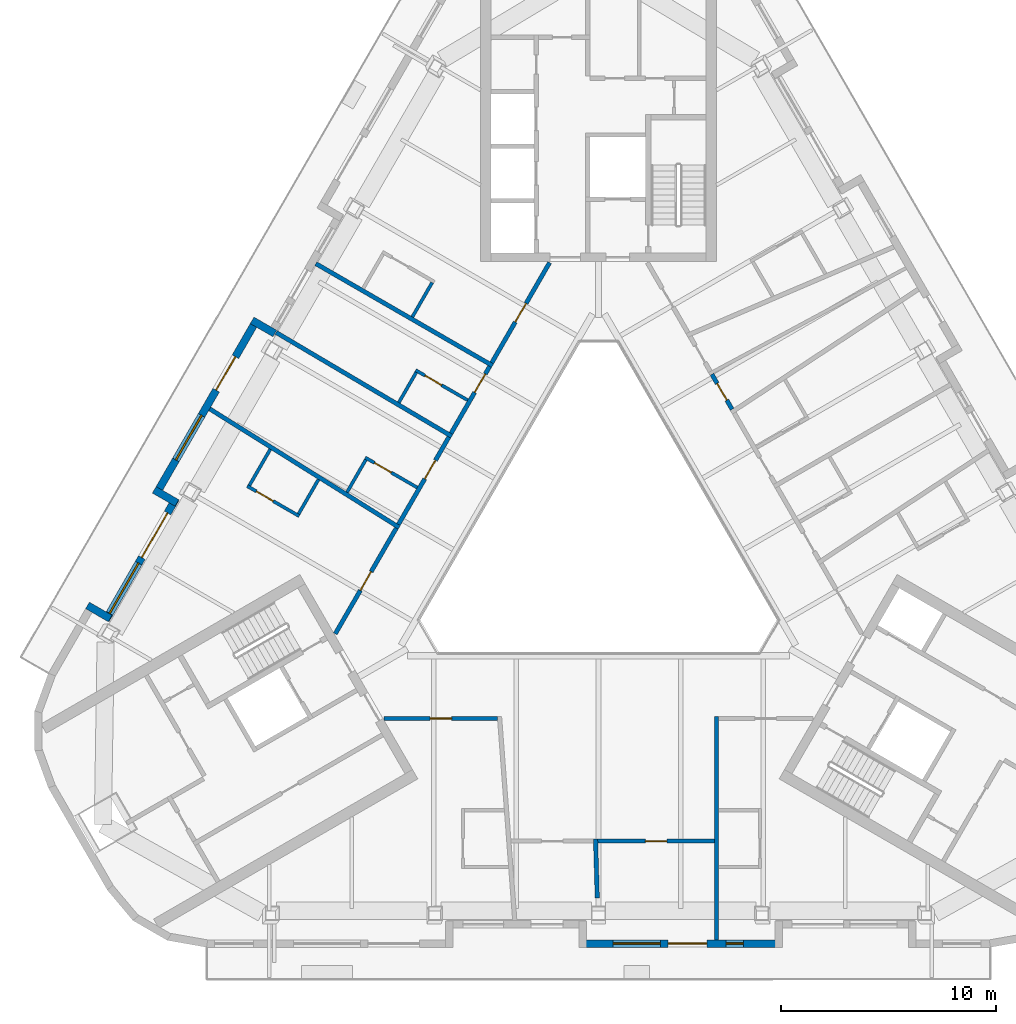
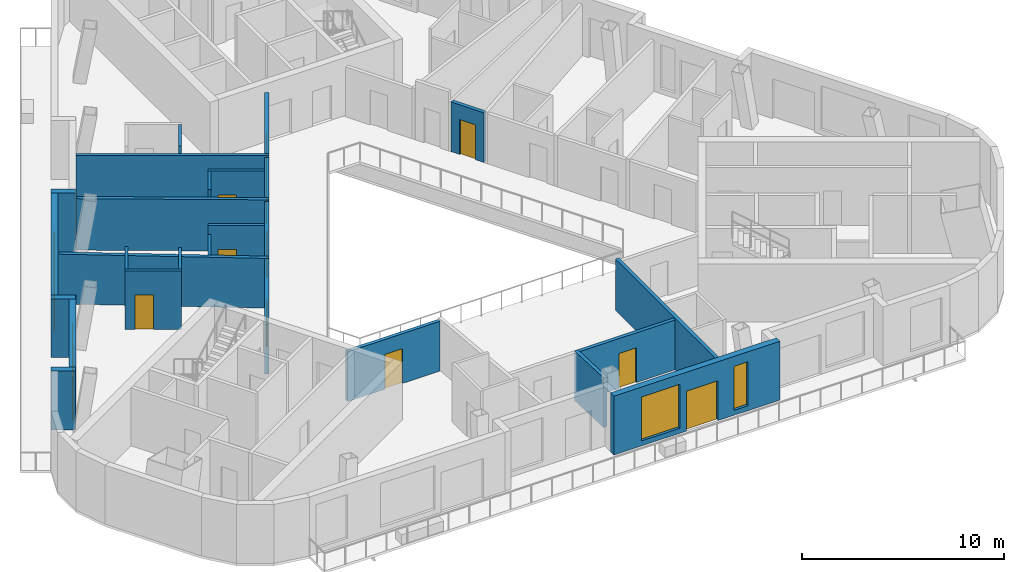
# One storey, part 4 of 14: 26 walls, 13 doors, 4 windows, 17 openings.
"""IFC4 building model written with IfcOpenShell, lengths in metres."""

import ifcopenshell
import ifcopenshell.guid

model = None  # the IFC model being written
_history = None  # IfcOwnerHistory: only IFC2X3 demands one
_inside = {}  # id of a spatial element -> (the spatial element, [elements in it])
_under = {}  # id of a project, library or spatial element -> (it, [spatial elements below it])
_declared = {}  # id of a project -> (the project, [libraries it declares])
_typed = {}  # id of a type object -> (the type object, [elements of that type])
_made_of = {}  # id of a material, layer set ... -> (it, [elements and type objects made of it])


def new_model(schema):
    """Start an empty IFC model of exactly this schema.

    Asked for "IFC4X3", IfcOpenShell would pick the latest addendum, in which some entities
    have other attributes; the version numbers below select the first issue.
    IFC2X3 requires an IfcOwnerHistory on every rooted entity: one is made here for all.
    """
    global model, _history
    if schema == "IFC4X3":
        model = ifcopenshell.file(schema_version=(4, 3, 0, 0))
    else:
        model = ifcopenshell.file(schema=schema)
    _inside.clear()
    _under.clear()
    _declared.clear()
    _typed.clear()
    _made_of.clear()
    _history = None
    if model.schema == "IFC2X3":
        org = make("IfcOrganization", Name="unknown")
        user = make(
            "IfcPersonAndOrganization",
            ThePerson=make("IfcPerson", FamilyName="unknown"),
            TheOrganization=org,
        )
        app = make(
            "IfcApplication",
            ApplicationDeveloper=org,
            Version="unknown",
            ApplicationFullName="unknown",
            ApplicationIdentifier="unknown",
        )
        _history = make(
            "IfcOwnerHistory",
            OwningUser=user,
            OwningApplication=app,
            ChangeAction="ADDED",
            CreationDate=0,
        )
    return model


def make(cls, **values):
    """One entity of the class cls with the attributes given. An attribute that is None is left unset."""
    return model.create_entity(
        cls, **{name: value for name, value in values.items() if value is not None}
    )


def rooted(cls, **values):
    """An entity with a GlobalId (a new one), such as an element, a storey or a relation."""
    return make(cls, GlobalId=ifcopenshell.guid.new(), OwnerHistory=_history, **values)


def si_unit(unit_type, name, prefix=None):
    """IfcSIUnit, for example si_unit("LENGTHUNIT", "METRE", prefix="MILLI")."""
    return make("IfcSIUnit", UnitType=unit_type, Prefix=prefix, Name=name)


def assignment(units):
    """IfcUnitAssignment: the units of a project."""
    return None if units is None else make("IfcUnitAssignment", Units=units)


def point(xyz):
    """IfcCartesianPoint."""
    return None if xyz is None else make("IfcCartesianPoint", Coordinates=xyz)


def direction(xyz):
    """IfcDirection."""
    return None if xyz is None else make("IfcDirection", DirectionRatios=xyz)


def frame(location, z_axis=None, x_axis=None):
    """IfcAxis2Placement3D, a coordinate frame: its origin and axes. An axis left out is left unset."""
    return make(
        "IfcAxis2Placement3D",
        Location=point(location),
        Axis=direction(z_axis),
        RefDirection=direction(x_axis),
    )


def frame_2d(location, x_axis=None):
    """IfcAxis2Placement2D, a coordinate frame in the plane: its origin and x axis."""
    return make(
        "IfcAxis2Placement2D", Location=point(location), RefDirection=direction(x_axis)
    )


def origin():
    """The frame at (0, 0, 0) with its axes left unset."""
    return frame((0.0, 0.0, 0.0))


def place(relative_to, where):
    """IfcLocalPlacement: puts the frame where relative to a parent placement (None: the world)."""
    return make(
        "IfcLocalPlacement", PlacementRelTo=relative_to, RelativePlacement=where
    )


def context(
    kind, dimensions, precision=None, world=None, true_north=None, identifier=None
):
    """IfcGeometricRepresentationContext, for example the 3D "Model" context."""
    return make(
        "IfcGeometricRepresentationContext",
        ContextIdentifier=identifier,
        ContextType=kind,
        CoordinateSpaceDimension=dimensions,
        Precision=precision,
        WorldCoordinateSystem=world,
        TrueNorth=true_north,
    )


def subcontext(parent, identifier, kind, view, scale=None):
    """IfcGeometricRepresentationSubContext, for example "Body" below "Model"."""
    return make(
        "IfcGeometricRepresentationSubContext",
        ContextIdentifier=identifier,
        ContextType=kind,
        ParentContext=parent,
        TargetScale=scale,
        TargetView=view,
    )


def project(units=None, contexts=None):
    """IfcProject with its units and contexts."""
    return rooted(
        "IfcProject",
        Name="project",
        RepresentationContexts=contexts,
        UnitsInContext=assignment(units),
    )


def spatial(cls, under=None, at=None, **own):
    """A site, building, storey or space (cls), placed at a placement, below another one or the project."""
    s = rooted(cls, ObjectPlacement=at, **own)
    if under is not None:
        _under.setdefault(under.id(), (under, []))[1].append(s)
    return s


def profile(cls, at=None, kind="AREA", **sizes):
    """A parametric profile (cls). Its sizes go by their IFC names, for example OverallWidth=200.0."""
    return make(cls, ProfileType=kind, Position=at, **sizes)


def rectangle(**sizes):
    """IfcRectangleProfileDef."""
    return profile("IfcRectangleProfileDef", **sizes)


def extrude(swept, where, along, depth):
    """IfcExtrudedAreaSolid: the profile swept, set in the frame where, extruded along a direction by depth."""
    return make(
        "IfcExtrudedAreaSolid",
        SweptArea=swept,
        Position=where,
        ExtrudedDirection=direction(along),
        Depth=depth,
    )


def shape(context_of_items, identifier, shape_type, items):
    """IfcShapeRepresentation: the items that make up one representation, for example the "Body"."""
    return make(
        "IfcShapeRepresentation",
        ContextOfItems=context_of_items,
        RepresentationIdentifier=identifier,
        RepresentationType=shape_type,
        Items=items,
    )


def material(Name=None, Category=None):
    """IfcMaterial."""
    return make("IfcMaterial", Name=Name, Category=Category)


def layer(
    of_material, thickness, ventilated=None, Name=None, Category=None, Priority=None
):
    """IfcMaterialLayer: one layer of a wall or slab, of a material (None: an air gap)."""
    return make(
        "IfcMaterialLayer",
        Material=of_material,
        LayerThickness=thickness,
        IsVentilated=ventilated,
        Name=Name,
        Category=Category,
        Priority=Priority,
    )


def layer_set(layers, Name=None):
    """IfcMaterialLayerSet."""
    return make("IfcMaterialLayerSet", MaterialLayers=layers, LayerSetName=Name)


def made_of(thing, what):
    """Note that an element or type object is made of a material, layer set ...; save() writes the relation."""
    if what is not None:
        _made_of.setdefault(what.id(), (what, []))[1].append(thing)
    return thing


def type_object(cls, material=None, **own):
    """A type object (cls), such as IfcWallType, which elements share."""
    return made_of(rooted(cls, **own), material)


def element(
    cls,
    number,
    at=None,
    inside=None,
    cuts=None,
    type_object=None,
    material=None,
    context=None,
    identifier="Body",
    shape_type=None,
    held_by="IfcProductDefinitionShape",
    body=None,
    shapes=None,
    **own,
):
    """One element of the class cls, such as IfcWall. Its Tag is "e" and its number.

    at: its placement. inside: the storey or other place that contains it. cuts: it is an
    opening in that element (IfcRelVoidsElement). A single representation is given by context,
    identifier, shape_type and body (its items); several are given by shapes. held_by: the class
    of the entity that holds the representations. save() writes the other relations.
    """
    e = rooted(cls, Tag="e%d" % number, ObjectPlacement=at, **own)
    if body is not None:
        shapes = [shape(context, identifier, shape_type, body)]
    if shapes is not None:
        e.Representation = make(held_by, Representations=shapes)
    if inside is not None:
        _inside.setdefault(inside.id(), (inside, []))[1].append(e)
    if cuts is not None:
        rooted(
            "IfcRelVoidsElement", RelatingBuildingElement=cuts, RelatedOpeningElement=e
        )
    if type_object is not None:
        _typed.setdefault(type_object.id(), (type_object, []))[1].append(e)
    return made_of(e, material)


def fill(opening, filler):
    """IfcRelFillsElement: the door or window that sits in an opening."""
    return rooted(
        "IfcRelFillsElement",
        RelatingOpeningElement=opening,
        RelatedBuildingElement=filler,
    )


def aggregate(whole, parts):
    """IfcRelAggregates: a whole, such as a stair, and the parts it consists of."""
    return rooted("IfcRelAggregates", RelatingObject=whole, RelatedObjects=parts)


def save(model, path):
    """Write the relations noted so far, then the file.

    IfcRelAggregates (storeys below a building ...), IfcRelContainedInSpatialStructure (elements
    in a storey), IfcRelDefinesByType, IfcRelAssociatesMaterial and IfcRelDeclares: one each for
    every whole, place, type object, material and project.
    """
    for whole, parts in _under.values():
        aggregate(whole, parts)
    for where, things in _inside.values():
        rooted(
            "IfcRelContainedInSpatialStructure",
            RelatedElements=things,
            RelatingStructure=where,
        )
    for kind, things in _typed.values():
        rooted("IfcRelDefinesByType", RelatedObjects=things, RelatingType=kind)
    for what, things in _made_of.values():
        rooted("IfcRelAssociatesMaterial", RelatedObjects=things, RelatingMaterial=what)
    for by, libraries in _declared.values():
        rooted("IfcRelDeclares", RelatingContext=by, RelatedDefinitions=libraries)
    model.write(path)


model = new_model("IFC4")

# Units and contexts
model_context = context("Model", 3, precision=1e-05, world=origin(), true_north=direction((0.0, 1.0)))
body_context = subcontext(model_context, "Body", "Model", "MODEL_VIEW")
ifc_project = project(units=[si_unit("LENGTHUNIT", "METRE"), si_unit("AREAUNIT", "SQUARE_METRE"), si_unit("VOLUMEUNIT", "CUBIC_METRE"), si_unit("PLANEANGLEUNIT", "RADIAN"), si_unit("MASSUNIT", "GRAM", prefix="KILO")], contexts=[model_context])

# Site, building, storey
site_placement = place(None, origin())
site = spatial("IfcSite", under=ifc_project, at=site_placement, CompositionType="ELEMENT")
building_placement = place(site_placement, origin())
building = spatial("IfcBuilding", under=site, at=building_placement, Name="Apuvela Tower Hotel", CompositionType="ELEMENT")
storey_placement = place(building_placement, frame((0.0, 0.0, 265.199951171875)))
storey = spatial("IfcBuildingStorey", under=building, at=storey_placement, Name="L65", CompositionType="ELEMENT", Elevation=265.199951171875)

# Wall
ifc_material_1 = material(Name="Concrete C40/50, dark pigmented precast panel", Category="concrete")
ifc_layer_1 = layer(ifc_material_1, 0.35009765625)
ifc_layer_set_1 = layer_set([ifc_layer_1], Name="ENV-WALL-350")
wall_type_1 = type_object("IfcWallType", Name="ENV-WALL-350", PredefinedType="SOLIDWALL", material=ifc_layer_set_1)
wall_1_placement = place(storey_placement, frame((-15.08984375, 9.54931640625, 0.0), z_axis=(0.0, 0.0, 1.0), x_axis=(-0.866092288191, 0.499884134912, 0.0)))
element("IfcWall", 1, at=wall_1_placement, inside=storey, type_object=wall_type_1, Name="External wall L65-04", PredefinedType="SOLIDWALL", context=body_context, shape_type="SweptSolid", body=[
    extrude(rectangle(XDim=1.219970703125, YDim=0.35009765625, at=frame_2d((0.60986328125, 0.0))), origin(), (0.0, 0.0, 1.0), 3.550048828125),
])

# Wall, openings, door, window
wall_2_placement = place(storey_placement, frame((-15.907470703125, 10.223388671875, 0.0), z_axis=(0.0, 0.0, 1.0), x_axis=(-0.499992427901, -0.866029775494, 0.0)))
wall_2 = element("IfcWall", 2, at=wall_2_placement, inside=storey, type_object=wall_type_1, Name="External wall L65-05", PredefinedType="SOLIDWALL", context=body_context, shape_type="SweptSolid", body=[
    extrude(rectangle(XDim=9.471923828125, YDim=0.35009765625, at=frame_2d((4.73583984375, 0.0))), origin(), (0.0, 0.0, 1.0), 3.550048828125),
])
opening_1_placement = place(wall_2_placement, frame((2.032470703125, 0.0, 0.0)))
opening_1 = element("IfcOpeningElement", 3, at=opening_1_placement, cuts=wall_2, Name="Opening BD18", PredefinedType="OPENING", context=body_context, shape_type="SweptSolid", body=[
    extrude(rectangle(XDim=1.800048828125, YDim=2.39990234375, at=frame_2d((0.89990234375, 1.199951171875))), frame((0.0, 0.18505859375, 0.0), z_axis=(0.0, -1.0, 0.0), x_axis=(1.0, 0.0, 0.0)), (0.0, 0.0, 1.0), 0.3701171875),
])
opening_2_placement = place(wall_2_placement, frame((5.185546875, 0.0, 0.300048828125)))
opening_2 = element("IfcOpeningElement", 4, at=opening_2_placement, cuts=wall_2, Name="Opening WN24", PredefinedType="OPENING", context=body_context, shape_type="SweptSolid", body=[
    extrude(rectangle(XDim=2.39990234375, YDim=2.64990234375, at=frame_2d((1.199951171875, 1.324951171875))), frame((0.0, 0.18505859375, 0.0), z_axis=(0.0, -1.0, 0.0), x_axis=(1.0, 0.0, 0.0)), (0.0, 0.0, 1.0), 0.3701171875),
])
ifc_material_2 = material(Name="Aluminium 6063-T6, dark bronze anodised frame with dark tinted laminated glass", Category="aluminium")
door_type_1 = type_object("IfcDoorType", Name="ENV-DOOR-BALCONY-1800x2400", OperationType="SLIDING_TO_LEFT", PredefinedType="DOOR", material=ifc_material_2)
door_1_placement = place(opening_1_placement, frame((1.800048828125, 0.0, 0.0), z_axis=(0.0, 0.0, 1.0), x_axis=(-1.0, 0.0, 0.0)))
door_1 = element("IfcDoor", 5, at=door_1_placement, inside=storey, type_object=door_type_1, Name="Balcony door BD18", OperationType="SLIDING_TO_LEFT", OverallHeight=2.39990234375, OverallWidth=1.800048828125, PredefinedType="DOOR", context=body_context, shape_type="SweptSolid", body=[
    extrude(rectangle(XDim=1.800048828125, YDim=2.39990234375, at=frame_2d((0.89990234375, 1.199951171875))), frame((0.0, 0.02490234375, 0.0), z_axis=(0.0, -1.0, 0.0), x_axis=(1.0, 0.0, 0.0)), (0.0, 0.0, 1.0), 0.050048828125),
])
fill(opening_1, door_1)
ifc_material_3 = material(Name="Glass, dark tinted laminated insulated glazing unit", Category="glass")
window_type_1 = type_object("IfcWindowType", Name="ENV-WIN-2400x2650", PartitioningType="SINGLE_PANEL", PredefinedType="WINDOW", material=ifc_material_3)
window_1_placement = place(opening_2_placement, origin())
window_1 = element("IfcWindow", 6, at=window_1_placement, inside=storey, type_object=window_type_1, Name="Window WN24", OverallHeight=2.64990234375, OverallWidth=2.39990234375, PartitioningType="SINGLE_PANEL", PredefinedType="WINDOW", context=body_context, shape_type="SweptSolid", body=[
    extrude(rectangle(XDim=2.39990234375, YDim=2.64990234375, at=frame_2d((1.199951171875, 1.324951171875))), frame((0.0, 0.030029296875, 0.0), z_axis=(0.0, -1.0, 0.0), x_axis=(1.0, 0.0, 0.0)), (0.0, 0.0, 1.0), 0.06005859375),
])
fill(opening_2, window_1)

# Wall
wall_3_placement = place(storey_placement, frame((-20.70751953125, 2.259521484375, 0.0), z_axis=(0.0, 0.0, 1.0), x_axis=(0.866092288191, -0.499884134912, 0.0)))
element("IfcWall", 7, at=wall_3_placement, inside=storey, type_object=wall_type_1, Name="External wall L65-06", PredefinedType="SOLIDWALL", context=body_context, shape_type="SweptSolid", body=[
    extrude(rectangle(XDim=1.219970703125, YDim=0.35009765625, at=frame_2d((0.60986328125, 0.0))), origin(), (0.0, 0.0, 1.0), 3.550048828125),
])

# Wall, openings, door, window
wall_4_placement = place(storey_placement, frame((-19.703857421875, 1.84765625, 0.0), z_axis=(0.0, 0.0, 1.0), x_axis=(-0.499993986225, -0.866028875811, 0.0)))
wall_4 = element("IfcWall", 8, at=wall_4_placement, inside=storey, type_object=wall_type_1, Name="External wall L65-07", PredefinedType="SOLIDWALL", context=body_context, shape_type="SweptSolid", body=[
    extrude(rectangle(XDim=6.51171875, YDim=0.35009765625, at=frame_2d((3.255859375, 0.0))), origin(), (0.0, 0.0, 1.0), 3.550048828125),
])
opening_3_placement = place(wall_4_placement, frame((0.77001953125, 0.0, 0.0)))
opening_3 = element("IfcOpeningElement", 9, at=opening_3_placement, cuts=wall_4, Name="Opening BD24", PredefinedType="OPENING", context=body_context, shape_type="SweptSolid", body=[
    extrude(rectangle(XDim=2.39990234375, YDim=2.39990234375, at=frame_2d((1.199951171875, 1.199951171875))), frame((0.0, 0.18505859375, 0.0), z_axis=(0.0, -1.0, 0.0), x_axis=(1.0, 0.0, 0.0)), (0.0, 0.0, 1.0), 0.3701171875),
])
opening_4_placement = place(wall_4_placement, frame((3.469970703125, 0.0, 0.300048828125)))
opening_4 = element("IfcOpeningElement", 10, at=opening_4_placement, cuts=wall_4, Name="Opening WN27", PredefinedType="OPENING", context=body_context, shape_type="SweptSolid", body=[
    extrude(rectangle(XDim=2.699951171875, YDim=2.64990234375, at=frame_2d((1.35009765625, 1.324951171875))), frame((0.0, 0.18505859375, 0.0), z_axis=(0.0, -1.0, 0.0), x_axis=(1.0, 0.0, 0.0)), (0.0, 0.0, 1.0), 0.3701171875),
])
door_type_2 = type_object("IfcDoorType", Name="ENV-DOOR-BALCONY-2400x2400", OperationType="SLIDING_TO_LEFT", PredefinedType="DOOR", material=ifc_material_2)
door_2_placement = place(opening_3_placement, frame((2.39990234375, 0.0, 0.0), z_axis=(0.0, 0.0, 1.0), x_axis=(-1.0, 0.0, 0.0)))
door_2 = element("IfcDoor", 11, at=door_2_placement, inside=storey, type_object=door_type_2, Name="Balcony door BD24", OperationType="SLIDING_TO_LEFT", OverallHeight=2.39990234375, OverallWidth=2.39990234375, PredefinedType="DOOR", context=body_context, shape_type="SweptSolid", body=[
    extrude(rectangle(XDim=2.39990234375, YDim=2.39990234375, at=frame_2d((1.199951171875, 1.199951171875))), frame((0.0, 0.02490234375, 0.0), z_axis=(0.0, -1.0, 0.0), x_axis=(1.0, 0.0, 0.0)), (0.0, 0.0, 1.0), 0.050048828125),
])
fill(opening_3, door_2)
window_type_2 = type_object("IfcWindowType", Name="ENV-WIN-2700x2650", PartitioningType="SINGLE_PANEL", PredefinedType="WINDOW", material=ifc_material_3)
window_2_placement = place(opening_4_placement, origin())
window_2 = element("IfcWindow", 12, at=window_2_placement, inside=storey, type_object=window_type_2, Name="Window WN27", OverallHeight=2.64990234375, OverallWidth=2.699951171875, PartitioningType="SINGLE_PANEL", PredefinedType="WINDOW", context=body_context, shape_type="SweptSolid", body=[
    extrude(rectangle(XDim=2.699951171875, YDim=2.64990234375, at=frame_2d((1.35009765625, 1.324951171875))), frame((0.0, 0.030029296875, 0.0), z_axis=(0.0, -1.0, 0.0), x_axis=(1.0, 0.0, 0.0)), (0.0, 0.0, 1.0), 0.06005859375),
])
fill(opening_4, window_2)

# Wall
wall_5_placement = place(storey_placement, frame((-22.76171875, -3.738525390625, 0.0), z_axis=(0.0, 0.0, 1.0), x_axis=(-0.866042269935, 0.499970785833, 0.0)))
element("IfcWall", 13, at=wall_5_placement, inside=storey, type_object=wall_type_1, Name="External wall L65-08", PredefinedType="SOLIDWALL", context=body_context, shape_type="SweptSolid", body=[
    extrude(rectangle(XDim=1.2197265625, YDim=0.35009765625, at=frame_2d((0.60986328125, 0.0))), origin(), (0.0, 0.0, 1.0), 3.550048828125),
])

# Wall, openings, door, windows
wall_6_placement = place(storey_placement, frame((-0.89990234375, -18.887939453125, 0.0), z_axis=(0.0, 0.0, 1.0), x_axis=(1.0, 0.0, 0.0)))
wall_6 = element("IfcWall", 14, at=wall_6_placement, inside=storey, type_object=wall_type_1, Name="External wall L65-21", PredefinedType="SOLIDWALL", context=body_context, shape_type="SweptSolid", body=[
    extrude(rectangle(XDim=9.4716796875, YDim=0.35009765625, at=frame_2d((4.73583984375, 0.0))), origin(), (0.0, 0.0, 1.0), 3.550048828125),
])
opening_5_placement = place(wall_6_placement, frame((4.150390625, 0.0, 0.0)))
opening_5 = element("IfcOpeningElement", 15, at=opening_5_placement, cuts=wall_6, Name="Opening BD18", PredefinedType="OPENING", context=body_context, shape_type="SweptSolid", body=[
    extrude(rectangle(XDim=1.800048828125, YDim=2.39990234375, at=frame_2d((0.89990234375, 1.199951171875))), frame((0.0, 0.18505859375, 0.0), z_axis=(0.0, -1.0, 0.0), x_axis=(1.0, 0.0, 0.0)), (0.0, 0.0, 1.0), 0.3701171875),
])
opening_6_placement = place(wall_6_placement, frame((1.5791015625, 0.0, 0.300048828125)))
opening_6 = element("IfcOpeningElement", 16, at=opening_6_placement, cuts=wall_6, Name="Opening WN22", PredefinedType="OPENING", context=body_context, shape_type="SweptSolid", body=[
    extrude(rectangle(XDim=2.199951171875, YDim=2.64990234375, at=frame_2d((1.10009765625, 1.324951171875))), frame((0.0, 0.18505859375, 0.0), z_axis=(0.0, -1.0, 0.0), x_axis=(1.0, 0.0, 0.0)), (0.0, 0.0, 1.0), 0.3701171875),
])
opening_7_placement = place(wall_6_placement, frame((6.849609375, 0.0, 0.300048828125)))
opening_7 = element("IfcOpeningElement", 17, at=opening_7_placement, cuts=wall_6, Name="Opening WN08", PredefinedType="OPENING", context=body_context, shape_type="SweptSolid", body=[
    extrude(rectangle(XDim=0.800048828125, YDim=2.64990234375, at=frame_2d((0.39990234375, 1.324951171875))), frame((0.0, 0.18505859375, 0.0), z_axis=(0.0, -1.0, 0.0), x_axis=(1.0, 0.0, 0.0)), (0.0, 0.0, 1.0), 0.3701171875),
])
door_3_placement = place(opening_5_placement, frame((1.800048828125, 0.0, 0.0), z_axis=(0.0, 0.0, 1.0), x_axis=(-1.0, 0.0, 0.0)))
door_3 = element("IfcDoor", 18, at=door_3_placement, inside=storey, type_object=door_type_1, Name="Balcony door BD18", OperationType="SLIDING_TO_LEFT", OverallHeight=2.39990234375, OverallWidth=1.800048828125, PredefinedType="DOOR", context=body_context, shape_type="SweptSolid", body=[
    extrude(rectangle(XDim=1.800048828125, YDim=2.39990234375, at=frame_2d((0.89990234375, 1.199951171875))), frame((0.0, 0.02490234375, 0.0), z_axis=(0.0, -1.0, 0.0), x_axis=(1.0, 0.0, 0.0)), (0.0, 0.0, 1.0), 0.050048828125),
])
fill(opening_5, door_3)
window_type_3 = type_object("IfcWindowType", Name="ENV-WIN-2200x2650", PartitioningType="SINGLE_PANEL", PredefinedType="WINDOW", material=ifc_material_3)
window_3_placement = place(opening_6_placement, origin())
window_3 = element("IfcWindow", 19, at=window_3_placement, inside=storey, type_object=window_type_3, Name="Window WN22", OverallHeight=2.64990234375, OverallWidth=2.199951171875, PartitioningType="SINGLE_PANEL", PredefinedType="WINDOW", context=body_context, shape_type="SweptSolid", body=[
    extrude(rectangle(XDim=2.199951171875, YDim=2.64990234375, at=frame_2d((1.10009765625, 1.324951171875))), frame((0.0, 0.030029296875, 0.0), z_axis=(0.0, -1.0, 0.0), x_axis=(1.0, 0.0, 0.0)), (0.0, 0.0, 1.0), 0.06005859375),
])
fill(opening_6, window_3)
window_type_4 = type_object("IfcWindowType", Name="ENV-WIN-800x2650", PartitioningType="SINGLE_PANEL", PredefinedType="WINDOW", material=ifc_material_3)
window_4_placement = place(opening_7_placement, origin())
window_4 = element("IfcWindow", 20, at=window_4_placement, inside=storey, type_object=window_type_4, Name="Window WN08", OverallHeight=2.64990234375, OverallWidth=0.800048828125, PartitioningType="SINGLE_PANEL", PredefinedType="WINDOW", context=body_context, shape_type="SweptSolid", body=[
    extrude(rectangle(XDim=0.800048828125, YDim=2.64990234375, at=frame_2d((0.39990234375, 1.324951171875))), frame((0.0, 0.030029296875, 0.0), z_axis=(0.0, -1.0, 0.0), x_axis=(1.0, 0.0, 0.0)), (0.0, 0.0, 1.0), 0.06005859375),
])
fill(opening_7, window_4)

# Walls
ifc_material_4 = material(Name="Gypsum board partition on twin steel stud", Category="steel")
ifc_layer_2 = layer(ifc_material_4, 0.199951171875)
ifc_layer_set_2 = layer_set([ifc_layer_2], Name="GST-PW1")
wall_type_2 = type_object("IfcWallType", Name="GST-PW1", PredefinedType="PARTITIONING", material=ifc_layer_set_2)
wall_7_placement = place(storey_placement, frame((-0.05712890625, -16.76708984375, 0.0), z_axis=(0.0, 0.0, 1.0), x_axis=(-0.029417278295, 0.999567218219, 0.0)))
element("IfcWall", 21, at=wall_7_placement, inside=storey, type_object=wall_type_2, Name="L65 partition 02", PredefinedType="PARTITIONING", context=body_context, shape_type="SweptSolid", body=[
    extrude(rectangle(XDim=2.75537109375, YDim=0.199951171875, at=frame_2d((1.377685546875, 0.0))), origin(), (0.0, 0.0, 1.0), 3.0),
])
wall_8_placement = place(storey_placement, frame((5.5, -18.712890625, 0.0), z_axis=(0.0, 0.0, 1.0), x_axis=(0.0, 1.0, 0.0)))
element("IfcWall", 22, at=wall_8_placement, inside=storey, type_object=wall_type_2, Name="L65 partition 03", PredefinedType="PARTITIONING", context=body_context, shape_type="SweptSolid", body=[
    extrude(rectangle(XDim=10.412841796875, YDim=0.199951171875, at=frame_2d((5.20654296875, 0.0))), origin(), (0.0, 0.0, 1.0), 3.10009765625),
])
wall_9_placement = place(storey_placement, frame((-13.176513671875, 12.8037109375, 0.0), z_axis=(0.0, 0.0, 1.0), x_axis=(0.866021901412, -0.500006066238, 0.0)))
element("IfcWall", 23, at=wall_9_placement, inside=storey, type_object=wall_type_2, Name="L65 partition 08", PredefinedType="PARTITIONING", context=body_context, shape_type="SweptSolid", body=[
    extrude(rectangle(XDim=9.51318359375, YDim=0.199951171875, at=frame_2d((4.756591796875, 0.0))), origin(), (0.0, 0.0, 1.0), 3.10009765625),
])
wall_10_placement = place(storey_placement, frame((-15.028564453125, 9.595703125, 0.0), z_axis=(0.0, 0.0, 1.0), x_axis=(0.860830464323, -0.508891846754, 0.0)))
element("IfcWall", 24, at=wall_10_placement, inside=storey, type_object=wall_type_2, Name="L65 partition 09", PredefinedType="PARTITIONING", context=body_context, shape_type="SweptSolid", body=[
    extrude(rectangle(XDim=9.513427734375, YDim=0.199951171875, at=frame_2d((4.7568359375, 0.0))), origin(), (0.0, 0.0, 1.0), 3.10009765625),
])
wall_11_placement = place(storey_placement, frame((-18.123779296875, 6.034423828125, 0.0), z_axis=(0.0, 0.0, 1.0), x_axis=(0.847667734063, -0.530527485271, 0.0)))
element("IfcWall", 25, at=wall_11_placement, inside=storey, type_object=wall_type_2, Name="L65 partition 10", PredefinedType="PARTITIONING", context=body_context, shape_type="SweptSolid", body=[
    extrude(rectangle(XDim=10.41943359375, YDim=0.199951171875, at=frame_2d((5.209716796875, 0.0))), origin(), (0.0, 0.0, 1.0), 3.0),
])

# Wall, opening, door
ifc_material_5 = material(Name="Gypsum board corridor wall on twin steel stud, acoustic", Category="steel")
ifc_layer_3 = layer(ifc_material_5, 0.199951171875)
ifc_layer_set_3 = layer_set([ifc_layer_3], Name="GST-PW2")
wall_type_3 = type_object("IfcWallType", Name="GST-PW2", PredefinedType="PARTITIONING", material=ifc_layer_set_3)
wall_12_placement = place(storey_placement, frame((-4.707763671875, -8.39990234375, 0.0), z_axis=(0.0, 0.0, 1.0), x_axis=(-1.0, 0.0, 0.0)))
wall_12 = element("IfcWall", 26, at=wall_12_placement, inside=storey, type_object=wall_type_3, Name="L65 partition 11", PredefinedType="PARTITIONING", context=body_context, shape_type="SweptSolid", body=[
    extrude(rectangle(XDim=5.280517578125, YDim=0.199951171875, at=frame_2d((2.64013671875, 0.0))), origin(), (0.0, 0.0, 1.0), 3.0),
])
opening_8_placement = place(wall_12_placement, frame((2.14013671875, 0.0, 0.0)))
opening_8 = element("IfcOpeningElement", 27, at=opening_8_placement, cuts=wall_12, Name="Opening GD25-02", PredefinedType="OPENING", context=body_context, shape_type="SweptSolid", body=[
    extrude(rectangle(XDim=1.0, YDim=2.10009765625, at=frame_2d((0.5, 1.050048828125))), frame((0.0, 0.10986328125, 0.0), z_axis=(0.0, -1.0, 0.0), x_axis=(1.0, 0.0, 0.0)), (0.0, 0.0, 1.0), 0.219970703125),
])
ifc_material_6 = material(Name="Timber door leaf in steel frame", Category="steel")
door_type_3 = type_object("IfcDoorType", Name="GST-D1", OperationType="NOTDEFINED", PredefinedType="DOOR", material=ifc_material_6)
door_4_placement = place(opening_8_placement, origin())
door_4 = element("IfcDoor", 28, at=door_4_placement, inside=storey, type_object=door_type_3, Name="Door L65-02", OperationType="SINGLE_SWING_LEFT", OverallHeight=2.10009765625, OverallWidth=1.0, PredefinedType="DOOR", context=body_context, shape_type="SweptSolid", body=[
    extrude(rectangle(XDim=1.0, YDim=2.10009765625, at=frame_2d((0.5, 1.050048828125))), frame((0.0, 0.02490234375, 0.0), z_axis=(0.0, -1.0, 0.0), x_axis=(1.0, 0.0, 0.0)), (0.0, 0.0, 1.0), 0.050048828125),
])
fill(opening_8, door_4)

wall_13_placement = place(storey_placement, frame((5.39990234375, -14.11279296875, 0.0), z_axis=(0.0, 0.0, 1.0), x_axis=(-1.0, 0.0, 0.0)))
wall_13 = element("IfcWall", 29, at=wall_13_placement, inside=storey, type_object=wall_type_3, Name="L65 partition 16", PredefinedType="PARTITIONING", context=body_context, shape_type="SweptSolid", body=[
    extrude(rectangle(XDim=5.43505859375, YDim=0.199951171875, at=frame_2d((2.717529296875, 0.0))), origin(), (0.0, 0.0, 1.0), 3.0),
])
opening_9_placement = place(wall_13_placement, frame((2.217529296875, 0.0, 0.0)))
opening_9 = element("IfcOpeningElement", 30, at=opening_9_placement, cuts=wall_13, Name="Opening GD25-04", PredefinedType="OPENING", context=body_context, shape_type="SweptSolid", body=[
    extrude(rectangle(XDim=1.0, YDim=2.10009765625, at=frame_2d((0.5, 1.050048828125))), frame((0.0, 0.10986328125, 0.0), z_axis=(0.0, -1.0, 0.0), x_axis=(1.0, 0.0, 0.0)), (0.0, 0.0, 1.0), 0.219970703125),
])
door_5_placement = place(opening_9_placement, origin())
door_5 = element("IfcDoor", 31, at=door_5_placement, inside=storey, type_object=door_type_3, Name="Door L65-04", OperationType="SINGLE_SWING_LEFT", OverallHeight=2.10009765625, OverallWidth=1.0, PredefinedType="DOOR", context=body_context, shape_type="SweptSolid", body=[
    extrude(rectangle(XDim=1.0, YDim=2.10009765625, at=frame_2d((0.5, 1.050048828125))), frame((0.0, 0.02490234375, 0.0), z_axis=(0.0, -1.0, 0.0), x_axis=(1.0, 0.0, 0.0)), (0.0, 0.0, 1.0), 0.050048828125),
])
fill(opening_9, door_5)

wall_14_placement = place(storey_placement, frame((5.28564453125, 7.64501953125, 0.0), z_axis=(0.0, 0.0, 1.0), x_axis=(0.500014143148, -0.86601723808, 0.0)))
wall_14 = element("IfcWall", 32, at=wall_14_placement, inside=storey, type_object=wall_type_3, Name="L65 partition 32", PredefinedType="PARTITIONING", context=body_context, shape_type="SweptSolid", body=[
    extrude(rectangle(XDim=1.8837890625, YDim=0.199951171875, at=frame_2d((0.94189453125, 0.0))), origin(), (0.0, 0.0, 1.0), 3.0),
])
opening_10_placement = place(wall_14_placement, frame((0.491943359375, 0.0, 0.0)))
opening_10 = element("IfcOpeningElement", 33, at=opening_10_placement, cuts=wall_14, Name="Opening GD25-13", PredefinedType="OPENING", context=body_context, shape_type="SweptSolid", body=[
    extrude(rectangle(XDim=0.89990234375, YDim=2.10009765625, at=frame_2d((0.449951171875, 1.050048828125))), frame((0.0, 0.10986328125, 0.0), z_axis=(0.0, -1.0, 0.0), x_axis=(1.0, 0.0, 0.0)), (0.0, 0.0, 1.0), 0.219970703125),
])
door_type_4 = type_object("IfcDoorType", Name="GST-D2", OperationType="NOTDEFINED", PredefinedType="DOOR", material=ifc_material_6)
door_6_placement = place(opening_10_placement, origin())
door_6 = element("IfcDoor", 34, at=door_6_placement, inside=storey, type_object=door_type_4, Name="Door L65-13", OperationType="SINGLE_SWING_LEFT", OverallHeight=2.10009765625, OverallWidth=0.89990234375, PredefinedType="DOOR", context=body_context, shape_type="SweptSolid", body=[
    extrude(rectangle(XDim=0.89990234375, YDim=2.10009765625, at=frame_2d((0.449951171875, 1.050048828125))), frame((0.0, 0.02490234375, 0.0), z_axis=(0.0, -1.0, 0.0), x_axis=(1.0, 0.0, 0.0)), (0.0, 0.0, 1.0), 0.050048828125),
])
fill(opening_10, door_6)

wall_15_placement = place(storey_placement, frame((-4.974609375, 8.18359375, 0.0), z_axis=(0.0, 0.0, 1.0), x_axis=(0.499983925036, 0.86603468447, 0.0)))
wall_15 = element("IfcWall", 35, at=wall_15_placement, inside=storey, type_object=wall_type_3, Name="L65 partition 38", PredefinedType="PARTITIONING", context=body_context, shape_type="SweptSolid", body=[
    extrude(rectangle(XDim=5.388427734375, YDim=0.199951171875, at=frame_2d((2.6943359375, 0.0))), origin(), (0.0, 0.0, 1.0), 3.0),
])
opening_11_placement = place(wall_15_placement, frame((2.194091796875, 0.0, 0.0)))
opening_11 = element("IfcOpeningElement", 36, at=opening_11_placement, cuts=wall_15, Name="Opening GD25-18", PredefinedType="OPENING", context=body_context, shape_type="SweptSolid", body=[
    extrude(rectangle(XDim=1.0, YDim=2.10009765625, at=frame_2d((0.5, 1.050048828125))), frame((0.0, 0.10986328125, 0.0), z_axis=(0.0, -1.0, 0.0), x_axis=(1.0, 0.0, 0.0)), (0.0, 0.0, 1.0), 0.219970703125),
])
door_7_placement = place(opening_11_placement, origin())
door_7 = element("IfcDoor", 37, at=door_7_placement, inside=storey, type_object=door_type_3, Name="Door L65-18", OperationType="SINGLE_SWING_LEFT", OverallHeight=2.10009765625, OverallWidth=1.0, PredefinedType="DOOR", context=body_context, shape_type="SweptSolid", body=[
    extrude(rectangle(XDim=1.0, YDim=2.10009765625, at=frame_2d((0.5, 1.050048828125))), frame((0.0, 0.02490234375, 0.0), z_axis=(0.0, -1.0, 0.0), x_axis=(1.0, 0.0, 0.0)), (0.0, 0.0, 1.0), 0.050048828125),
])
fill(opening_11, door_7)

wall_16_placement = place(storey_placement, frame((-6.875, 4.891845703125, 0.0), z_axis=(0.0, 0.0, 1.0), x_axis=(0.499945471869, 0.866056883327, 0.0)))
wall_16 = element("IfcWall", 38, at=wall_16_placement, inside=storey, type_object=wall_type_3, Name="L65 partition 42", PredefinedType="PARTITIONING", context=body_context, shape_type="SweptSolid", body=[
    extrude(rectangle(XDim=3.60107421875, YDim=0.199951171875, at=frame_2d((1.800537109375, 0.0))), origin(), (0.0, 0.0, 1.0), 3.0),
])
opening_12_placement = place(wall_16_placement, frame((2.200927734375, 0.0, 0.0)))
opening_12 = element("IfcOpeningElement", 39, at=opening_12_placement, cuts=wall_16, Name="Opening GD25-20", PredefinedType="OPENING", context=body_context, shape_type="SweptSolid", body=[
    extrude(rectangle(XDim=1.0, YDim=2.10009765625, at=frame_2d((0.5, 1.050048828125))), frame((0.0, 0.10986328125, 0.0), z_axis=(0.0, -1.0, 0.0), x_axis=(1.0, 0.0, 0.0)), (0.0, 0.0, 1.0), 0.219970703125),
])
door_8_placement = place(opening_12_placement, origin())
door_8 = element("IfcDoor", 40, at=door_8_placement, inside=storey, type_object=door_type_3, Name="Door L65-20", OperationType="SINGLE_SWING_RIGHT", OverallHeight=2.10009765625, OverallWidth=1.0, PredefinedType="DOOR", context=body_context, shape_type="SweptSolid", body=[
    extrude(rectangle(XDim=1.0, YDim=2.10009765625, at=frame_2d((0.5, 1.050048828125))), frame((0.0, 0.02490234375, 0.0), z_axis=(0.0, -1.0, 0.0), x_axis=(1.0, 0.0, 0.0)), (0.0, 0.0, 1.0), 0.050048828125),
])
fill(opening_12, door_8)

wall_17_placement = place(storey_placement, frame((-9.326416015625, 0.646240234375, 0.0), z_axis=(0.0, 0.0, 1.0), x_axis=(0.500008572427, 0.866020454435, 0.0)))
wall_17 = element("IfcWall", 41, at=wall_17_placement, inside=storey, type_object=wall_type_3, Name="L65 partition 45", PredefinedType="PARTITIONING", context=body_context, shape_type="SweptSolid", body=[
    extrude(rectangle(XDim=4.70263671875, YDim=0.199951171875, at=frame_2d((2.351318359375, 0.0))), origin(), (0.0, 0.0, 1.0), 3.0),
])
opening_13_placement = place(wall_17_placement, frame((2.45361328125, 0.0, 0.0)))
opening_13 = element("IfcOpeningElement", 42, at=opening_13_placement, cuts=wall_17, Name="Opening GD25-22", PredefinedType="OPENING", context=body_context, shape_type="SweptSolid", body=[
    extrude(rectangle(XDim=1.0, YDim=2.10009765625, at=frame_2d((0.5, 1.050048828125))), frame((0.0, 0.10986328125, 0.0), z_axis=(0.0, -1.0, 0.0), x_axis=(1.0, 0.0, 0.0)), (0.0, 0.0, 1.0), 0.219970703125),
])
door_9_placement = place(opening_13_placement, origin())
door_9 = element("IfcDoor", 43, at=door_9_placement, inside=storey, type_object=door_type_3, Name="Door L65-22", OperationType="SINGLE_SWING_RIGHT", OverallHeight=2.10009765625, OverallWidth=1.0, PredefinedType="DOOR", context=body_context, shape_type="SweptSolid", body=[
    extrude(rectangle(XDim=1.0, YDim=2.10009765625, at=frame_2d((0.5, 1.050048828125))), frame((0.0, 0.02490234375, 0.0), z_axis=(0.0, -1.0, 0.0), x_axis=(1.0, 0.0, 0.0)), (0.0, 0.0, 1.0), 0.050048828125),
])
fill(opening_13, door_9)

wall_18_placement = place(storey_placement, frame((-12.268798828125, -4.449951171875, 0.0), z_axis=(0.0, 0.0, 1.0), x_axis=(0.500009958894, 0.866019653938, 0.0)))
wall_18 = element("IfcWall", 44, at=wall_18_placement, inside=storey, type_object=wall_type_3, Name="L65 partition 48", PredefinedType="PARTITIONING", context=body_context, shape_type="SweptSolid", body=[
    extrude(rectangle(XDim=5.6845703125, YDim=0.199951171875, at=frame_2d((2.84228515625, 0.0))), origin(), (0.0, 0.0, 1.0), 3.0),
])
opening_14_placement = place(wall_18_placement, frame((2.34228515625, 0.0, 0.0)))
opening_14 = element("IfcOpeningElement", 45, at=opening_14_placement, cuts=wall_18, Name="Opening GD25-24", PredefinedType="OPENING", context=body_context, shape_type="SweptSolid", body=[
    extrude(rectangle(XDim=1.0, YDim=2.10009765625, at=frame_2d((0.5, 1.050048828125))), frame((0.0, 0.10986328125, 0.0), z_axis=(0.0, -1.0, 0.0), x_axis=(1.0, 0.0, 0.0)), (0.0, 0.0, 1.0), 0.219970703125),
])
door_10_placement = place(opening_14_placement, origin())
door_10 = element("IfcDoor", 46, at=door_10_placement, inside=storey, type_object=door_type_3, Name="Door L65-24", OperationType="SINGLE_SWING_RIGHT", OverallHeight=2.10009765625, OverallWidth=1.0, PredefinedType="DOOR", context=body_context, shape_type="SweptSolid", body=[
    extrude(rectangle(XDim=1.0, YDim=2.10009765625, at=frame_2d((0.5, 1.050048828125))), frame((0.0, 0.02490234375, 0.0), z_axis=(0.0, -1.0, 0.0), x_axis=(1.0, 0.0, 0.0)), (0.0, 0.0, 1.0), 0.050048828125),
])
fill(opening_14, door_10)

# Wall
ifc_material_7 = material(Name="Moisture-resistant gypsum board wet wall on steel stud", Category="steel")
ifc_layer_4 = layer(ifc_material_7, 0.14990234375)
ifc_layer_set_4 = layer_set([ifc_layer_4], Name="GST-PW3")
wall_type_4 = type_object("IfcWallType", Name="GST-PW3", PredefinedType="PARTITIONING", material=ifc_layer_set_4)
wall_19_placement = place(storey_placement, frame((-7.751953125, 11.92333984375, 0.0), z_axis=(0.0, 0.0, 1.0), x_axis=(-0.500042316284, -0.866000971088, 0.0)))
element("IfcWall", 47, at=wall_19_placement, inside=storey, type_object=wall_type_4, Name="L65 partition 41", PredefinedType="PARTITIONING", context=body_context, shape_type="SweptSolid", body=[
    extrude(rectangle(XDim=1.849853515625, YDim=0.14990234375, at=frame_2d((0.9248046875, 0.0))), origin(), (0.0, 0.0, 1.0), 3.550048828125),
])

# Wall, opening, door
wall_20_placement = place(storey_placement, frame((-6.09814453125, 6.4375, 0.0), z_axis=(0.0, 0.0, 1.0), x_axis=(-0.866018616679, 0.500011755427, 0.0)))
wall_20 = element("IfcWall", 48, at=wall_20_placement, inside=storey, type_object=wall_type_4, Name="L65 partition 43", PredefinedType="PARTITIONING", context=body_context, shape_type="SweptSolid", body=[
    extrude(rectangle(XDim=2.80029296875, YDim=0.14990234375, at=frame_2d((1.400146484375, 0.0))), origin(), (0.0, 0.0, 1.0), 3.550048828125),
])
opening_15_placement = place(wall_20_placement, frame((1.39990234375, 0.0, 0.0)))
opening_15 = element("IfcOpeningElement", 49, at=opening_15_placement, cuts=wall_20, Name="Opening GD25-19", PredefinedType="OPENING", context=body_context, shape_type="SweptSolid", body=[
    extrude(rectangle(XDim=0.89990234375, YDim=2.10009765625, at=frame_2d((0.449951171875, 1.050048828125))), frame((0.0, 0.0849609375, 0.0), z_axis=(0.0, -1.0, 0.0), x_axis=(1.0, 0.0, 0.0)), (0.0, 0.0, 1.0), 0.169921875),
])
door_11_placement = place(opening_15_placement, origin())
door_11 = element("IfcDoor", 50, at=door_11_placement, inside=storey, type_object=door_type_4, Name="Door L65-19", OperationType="SINGLE_SWING_RIGHT", OverallHeight=2.10009765625, OverallWidth=0.89990234375, PredefinedType="DOOR", context=body_context, shape_type="SweptSolid", body=[
    extrude(rectangle(XDim=0.89990234375, YDim=2.10009765625, at=frame_2d((0.449951171875, 1.050048828125))), frame((0.0, 0.02490234375, 0.0), z_axis=(0.0, -1.0, 0.0), x_axis=(1.0, 0.0, 0.0)), (0.0, 0.0, 1.0), 0.050048828125),
])
fill(opening_15, door_11)

# Wall
wall_21_placement = place(storey_placement, frame((-8.49560546875, 7.735107421875, 0.0), z_axis=(0.0, 0.0, 1.0), x_axis=(-0.500021943523, -0.866012734315, 0.0)))
element("IfcWall", 51, at=wall_21_placement, inside=storey, type_object=wall_type_4, Name="L65 partition 44", PredefinedType="PARTITIONING", context=body_context, shape_type="SweptSolid", body=[
    extrude(rectangle(XDim=1.623046875, YDim=0.14990234375, at=frame_2d((0.8115234375, 0.0))), origin(), (0.0, 0.0, 1.0), 3.550048828125),
])

# Wall, opening, door
wall_22_placement = place(storey_placement, frame((-8.44873046875, 2.366455078125, 0.0), z_axis=(0.0, 0.0, 1.0), x_axis=(-0.866034573852, 0.49998411664, 0.0)))
wall_22 = element("IfcWall", 52, at=wall_22_placement, inside=storey, type_object=wall_type_4, Name="L65 partition 46", PredefinedType="PARTITIONING", context=body_context, shape_type="SweptSolid", body=[
    extrude(rectangle(XDim=2.7998046875, YDim=0.14990234375, at=frame_2d((1.39990234375, 0.0))), origin(), (0.0, 0.0, 1.0), 3.550048828125),
])
opening_16_placement = place(wall_22_placement, frame((1.39990234375, 0.0, 0.0)))
opening_16 = element("IfcOpeningElement", 53, at=opening_16_placement, cuts=wall_22, Name="Opening GD25-21", PredefinedType="OPENING", context=body_context, shape_type="SweptSolid", body=[
    extrude(rectangle(XDim=0.89990234375, YDim=2.10009765625, at=frame_2d((0.449951171875, 1.050048828125))), frame((0.0, 0.0849609375, 0.0), z_axis=(0.0, -1.0, 0.0), x_axis=(1.0, 0.0, 0.0)), (0.0, 0.0, 1.0), 0.169921875),
])
door_12_placement = place(opening_16_placement, origin())
door_12 = element("IfcDoor", 54, at=door_12_placement, inside=storey, type_object=door_type_4, Name="Door L65-21", OperationType="SINGLE_SWING_RIGHT", OverallHeight=2.10009765625, OverallWidth=0.89990234375, PredefinedType="DOOR", context=body_context, shape_type="SweptSolid", body=[
    extrude(rectangle(XDim=0.89990234375, YDim=2.10009765625, at=frame_2d((0.449951171875, 1.050048828125))), frame((0.0, 0.02490234375, 0.0), z_axis=(0.0, -1.0, 0.0), x_axis=(1.0, 0.0, 0.0)), (0.0, 0.0, 1.0), 0.050048828125),
])
fill(opening_16, door_12)

# Wall
wall_23_placement = place(storey_placement, frame((-10.84619140625, 3.6640625, 0.0), z_axis=(0.0, 0.0, 1.0), x_axis=(-0.499899295206, -0.866083537918, 0.0)))
element("IfcWall", 55, at=wall_23_placement, inside=storey, type_object=wall_type_4, Name="L65 partition 47", PredefinedType="PARTITIONING", context=body_context, shape_type="SweptSolid", body=[
    extrude(rectangle(XDim=1.752685546875, YDim=0.14990234375, at=frame_2d((0.87646484375, 0.0))), origin(), (0.0, 0.0, 1.0), 3.0),
])

# Wall, opening, door
wall_24_placement = place(storey_placement, frame((-16.376220703125, 2.435546875, 0.0), z_axis=(0.0, 0.0, 1.0), x_axis=(0.865996816683, -0.500049511043, 0.0)))
wall_24 = element("IfcWall", 56, at=wall_24_placement, inside=storey, type_object=wall_type_4, Name="L65 partition 49", PredefinedType="PARTITIONING", context=body_context, shape_type="SweptSolid", body=[
    extrude(rectangle(XDim=2.800048828125, YDim=0.14990234375, at=frame_2d((1.39990234375, 0.0))), origin(), (0.0, 0.0, 1.0), 3.550048828125),
])
opening_17_placement = place(wall_24_placement, frame((0.5, 0.0, 0.0)))
opening_17 = element("IfcOpeningElement", 57, at=opening_17_placement, cuts=wall_24, Name="Opening GD25-23", PredefinedType="OPENING", context=body_context, shape_type="SweptSolid", body=[
    extrude(rectangle(XDim=0.89990234375, YDim=2.10009765625, at=frame_2d((0.449951171875, 1.050048828125))), frame((0.0, 0.0849609375, 0.0), z_axis=(0.0, -1.0, 0.0), x_axis=(1.0, 0.0, 0.0)), (0.0, 0.0, 1.0), 0.169921875),
])
door_13_placement = place(opening_17_placement, origin())
door_13 = element("IfcDoor", 58, at=door_13_placement, inside=storey, type_object=door_type_4, Name="Door L65-23", OperationType="SINGLE_SWING_LEFT", OverallHeight=2.10009765625, OverallWidth=0.89990234375, PredefinedType="DOOR", context=body_context, shape_type="SweptSolid", body=[
    extrude(rectangle(XDim=0.89990234375, YDim=2.10009765625, at=frame_2d((0.449951171875, 1.050048828125))), frame((0.0, 0.02490234375, 0.0), z_axis=(0.0, -1.0, 0.0), x_axis=(1.0, 0.0, 0.0)), (0.0, 0.0, 1.0), 0.050048828125),
])
fill(opening_17, door_13)

# Walls
wall_25_placement = place(storey_placement, frame((-15.30029296875, 4.1494140625, 0.0), z_axis=(0.0, 0.0, 1.0), x_axis=(-0.49987439993, -0.866097906876, 0.0)))
element("IfcWall", 59, at=wall_25_placement, inside=storey, type_object=wall_type_4, Name="L65 partition 50", PredefinedType="PARTITIONING", context=body_context, shape_type="SweptSolid", body=[
    extrude(rectangle(XDim=1.947265625, YDim=0.14990234375, at=frame_2d((0.9736328125, 0.0))), origin(), (0.0, 0.0, 1.0), 3.550048828125),
])
wall_26_placement = place(storey_placement, frame((-13.052490234375, 2.742431640625, 0.0), z_axis=(0.0, 0.0, 1.0), x_axis=(-0.499965806267, -0.866045144646, 0.0)))
element("IfcWall", 60, at=wall_26_placement, inside=storey, type_object=wall_type_4, Name="L65 partition 51", PredefinedType="PARTITIONING", context=body_context, shape_type="SweptSolid", body=[
    extrude(rectangle(XDim=1.852783203125, YDim=0.14990234375, at=frame_2d((0.92626953125, 0.0))), origin(), (0.0, 0.0, 1.0), 3.550048828125),
])

save(model, "model.ifc")
